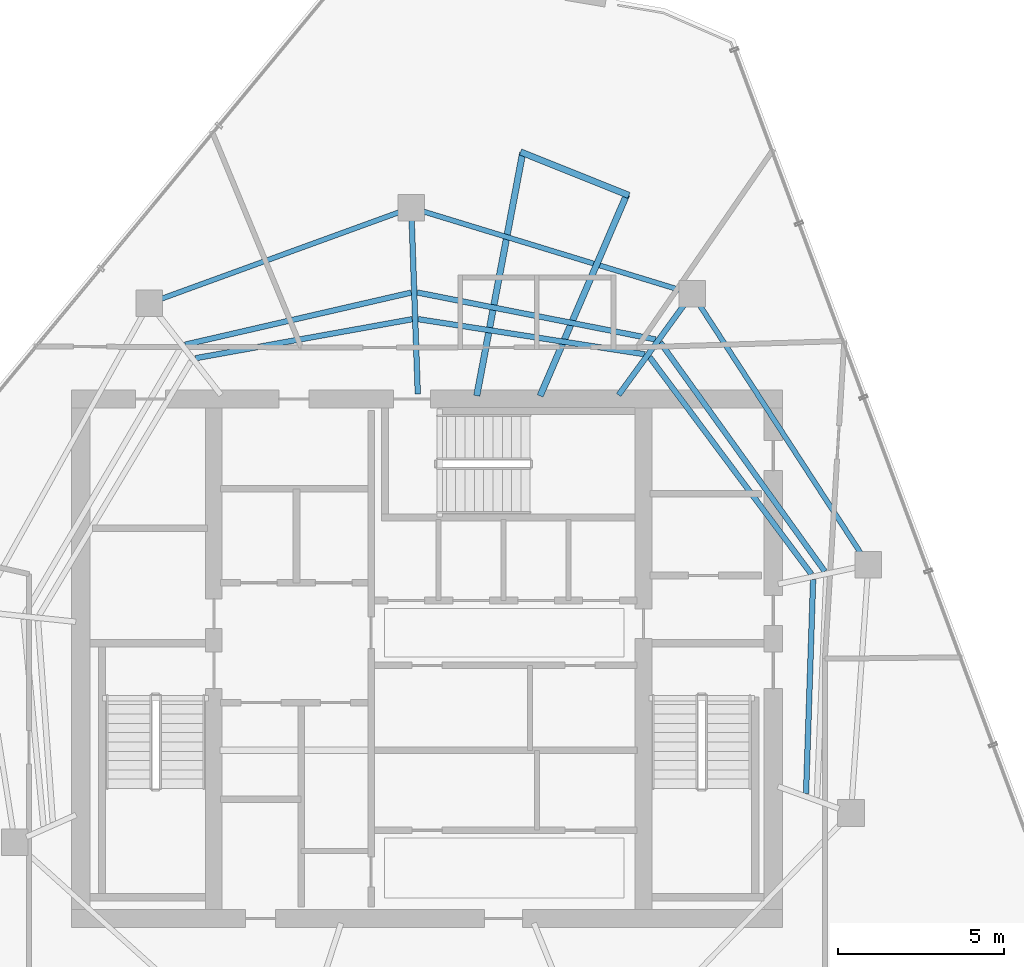
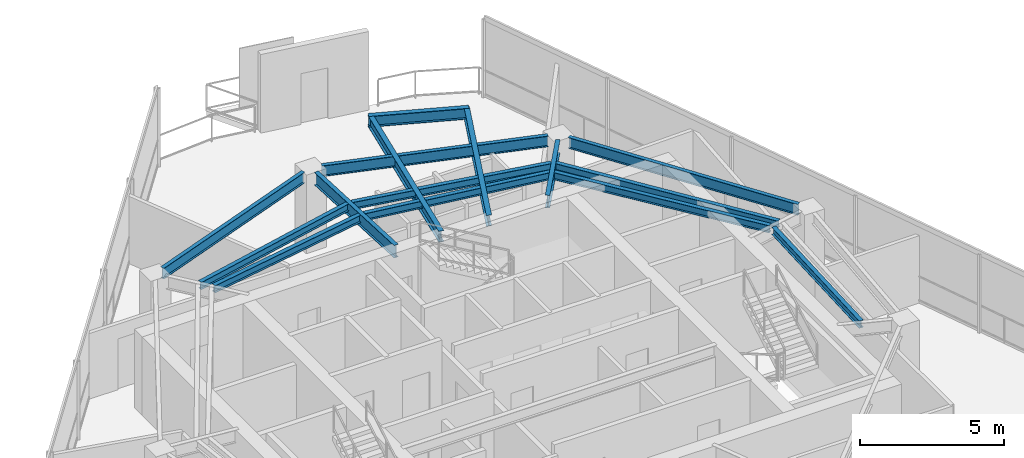
# One storey, part 9 of 19: 15 beams.
"""IFC4 building model written with IfcOpenShell, lengths in metres."""

from ifc_helpers import new_model, si_unit, direction, frame, origin, origin_2d, place, context, subcontext, project, spatial, i_section, extrude, material, material_profile, profile_set, type_object, element, save


model = new_model("IFC4")

# Units and contexts
model_context = context("Model", 3, precision=1e-05, world=origin(), true_north=direction((0.0, 1.0)))
body_context = subcontext(model_context, "Body", "Model", "MODEL_VIEW")
ifc_project = project(units=[si_unit("LENGTHUNIT", "METRE"), si_unit("AREAUNIT", "SQUARE_METRE"), si_unit("VOLUMEUNIT", "CUBIC_METRE"), si_unit("PLANEANGLEUNIT", "RADIAN"), si_unit("MASSUNIT", "GRAM", prefix="KILO")], contexts=[model_context])

# Site, building, storey
site_placement = place(None, origin())
site = spatial("IfcSite", under=ifc_project, at=site_placement, CompositionType="ELEMENT")
building_placement = place(site_placement, origin())
building = spatial("IfcBuilding", under=site, at=building_placement, Name="Qarnah Convention Tower", CompositionType="ELEMENT")
storey_placement = place(building_placement, frame((0.0, 0.0, 257.10009765625)))
storey = spatial("IfcBuildingStorey", under=building, at=storey_placement, Name="L69", CompositionType="ELEMENT", Elevation=257.10009765625)

# Beams
ifc_material = material(Name="Structural steel S355JR", Category="steel")
ifc_material_profile_1 = material_profile(ifc_material, i_section(OverallWidth=0.19189453125, OverallDepth=0.464111328125, WebThickness=0.010986328125, FlangeThickness=0.01806640625, at=origin_2d()), Name="W460X89")
ifc_profile_set_1 = profile_set([ifc_material_profile_1], Name="Structural steel S355JR")
beam_type_1 = type_object("IfcBeamType", Name="BM-CANT-W460A", PredefinedType="BEAM", material=ifc_profile_set_1)
beam_1_placement = place(storey_placement, frame((38.694091796875, 34.298095703125, 3.087890625), z_axis=(0.185836759901, 0.982580632146, 0.0), x_axis=(-0.982580632146, 0.185836759901, 0.0)))
element("IfcBeam", 1, at=beam_1_placement, inside=storey, type_object=beam_type_1, Name="L69 beam BM-L69-CNT-01-1", PredefinedType="BEAM", context=body_context, shape_type="SweptSolid", body=[
    extrude(i_section(OverallWidth=0.19189453125, OverallDepth=0.464111328125, WebThickness=0.010986328125, FlangeThickness=0.01806640625, at=origin_2d()), origin(), (0.0, 0.0, 1.0), 7.42529296875),
])
beam_2_placement = place(storey_placement, frame((40.596923828125, 34.2919921875, 3.087890625), z_axis=(0.395203303624, 0.918593679929, 0.0), x_axis=(-0.918593679929, 0.395203303624, 0.0)))
element("IfcBeam", 2, at=beam_2_placement, inside=storey, type_object=beam_type_1, Name="L69 beam BM-L69-CNT-01-2", PredefinedType="BEAM", context=body_context, shape_type="SweptSolid", body=[
    extrude(i_section(OverallWidth=0.19189453125, OverallDepth=0.464111328125, WebThickness=0.010986328125, FlangeThickness=0.01806640625, at=origin_2d()), origin(), (0.0, 0.0, 1.0), 6.583984375),
])
beam_3_placement = place(storey_placement, frame((40.009033203125, 41.6201171875, 3.087890625), z_axis=(0.928063247738, -0.372422620417, 0.0), x_axis=(0.372422620417, 0.928063247738, 0.0)))
element("IfcBeam", 3, at=beam_3_placement, inside=storey, type_object=beam_type_1, Name="L69 spandrel BM-L69-CTIE-01", PredefinedType="SPANDREL", context=body_context, shape_type="SweptSolid", body=[
    extrude(i_section(OverallWidth=0.19189453125, OverallDepth=0.464111328125, WebThickness=0.010986328125, FlangeThickness=0.01806640625, at=origin_2d()), origin(), (0.0, 0.0, 1.0), 3.507080078125),
])
ifc_material_profile_2 = material_profile(ifc_material, i_section(OverallWidth=0.166015625, OverallDepth=0.31201171875, WebThickness=0.007080078125, FlangeThickness=0.010986328125, at=origin_2d()), Name="W310X45")
ifc_profile_set_2 = profile_set([ifc_material_profile_2], Name="Structural steel S355JR")
beam_type_2 = type_object("IfcBeamType", Name="BM-JST-W310", PredefinedType="JOIST", material=ifc_profile_set_2)
beam_4_placement = place(storey_placement, frame((49.14501953125, 29.02294921875, 3.163818359375), z_axis=(-0.58344586601, 0.812152030986, 0.0), x_axis=(-0.812152030986, -0.58344586601, 0.0)))
element("IfcBeam", 4, at=beam_4_placement, inside=storey, type_object=beam_type_2, Name="L69 joist BM-L69-SJST-01", PredefinedType="JOIST", context=body_context, shape_type="SweptSolid", body=[
    extrude(i_section(OverallWidth=0.166015625, OverallDepth=0.31201171875, WebThickness=0.007080078125, FlangeThickness=0.010986328125, at=origin_2d()), origin(), (0.0, 0.0, 1.0), 8.465087890625),
])
beam_5_placement = place(storey_placement, frame((44.06494140625, 35.988037109375, 3.163818359375), z_axis=(-0.98114260341, 0.193285260103, 0.0), x_axis=(-0.193285260103, -0.98114260341, 0.0)))
element("IfcBeam", 5, at=beam_5_placement, inside=storey, type_object=beam_type_2, Name="L69 joist BM-L69-SJST-02", PredefinedType="JOIST", context=body_context, shape_type="SweptSolid", body=[
    extrude(i_section(OverallWidth=0.166015625, OverallDepth=0.31201171875, WebThickness=0.007080078125, FlangeThickness=0.010986328125, at=origin_2d()), origin(), (0.0, 0.0, 1.0), 7.299560546875),
])
beam_6_placement = place(storey_placement, frame((36.72705078125, 37.39599609375, 3.163818359375), z_axis=(-0.974498532047, -0.224393874777, 0.0), x_axis=(0.224393874777, -0.974498532047, 0.0)))
element("IfcBeam", 6, at=beam_6_placement, inside=storey, type_object=beam_type_2, Name="L69 joist BM-L69-SJST-03", PredefinedType="JOIST", context=body_context, shape_type="SweptSolid", body=[
    extrude(i_section(OverallWidth=0.166015625, OverallDepth=0.31201171875, WebThickness=0.007080078125, FlangeThickness=0.010986328125, at=origin_2d()), origin(), (0.0, 0.0, 1.0), 6.9697265625),
])
beam_7_placement = place(storey_placement, frame((48.7451171875, 28.93701171875, 3.163818359375), z_axis=(-0.597624038881, 0.801776470191, 0.0), x_axis=(-0.801776470191, -0.597624038881, 0.0)))
element("IfcBeam", 7, at=beam_7_placement, inside=storey, type_object=beam_type_2, Name="L69 joist BM-L69-IJST-01", PredefinedType="JOIST", context=body_context, shape_type="SweptSolid", body=[
    extrude(i_section(OverallWidth=0.166015625, OverallDepth=0.31201171875, WebThickness=0.007080078125, FlangeThickness=0.010986328125, at=origin_2d()), origin(), (0.0, 0.0, 1.0), 8.130859375),
])
beam_8_placement = place(storey_placement, frame((43.742919921875, 35.5419921875, 3.163818359375), z_axis=(-0.988191204816, 0.153225790013, 0.0), x_axis=(-0.153225790013, -0.988191204816, 0.0)))
element("IfcBeam", 8, at=beam_8_placement, inside=storey, type_object=beam_type_2, Name="L69 joist BM-L69-IJST-02", PredefinedType="JOIST", context=body_context, shape_type="SweptSolid", body=[
    extrude(i_section(OverallWidth=0.166015625, OverallDepth=0.31201171875, WebThickness=0.007080078125, FlangeThickness=0.010986328125, at=origin_2d()), origin(), (0.0, 0.0, 1.0), 6.89111328125),
])
beam_9_placement = place(storey_placement, frame((36.7548828125, 36.595947265625, 3.163818359375), z_axis=(-0.98417817063, -0.177181625613, 0.0), x_axis=(0.177181625613, -0.98417817063, 0.0)))
element("IfcBeam", 9, at=beam_9_placement, inside=storey, type_object=beam_type_2, Name="L69 joist BM-L69-IJST-03", PredefinedType="JOIST", context=body_context, shape_type="SweptSolid", body=[
    extrude(i_section(OverallWidth=0.166015625, OverallDepth=0.31201171875, WebThickness=0.007080078125, FlangeThickness=0.010986328125, at=origin_2d()), origin(), (0.0, 0.0, 1.0), 6.6083984375),
])
beam_10_placement = place(storey_placement, frame((48.5830078125, 22.347900390625, 3.163818359375), z_axis=(0.033106248914, 0.999451837901, 0.0), x_axis=(-0.999451837901, 0.033106248914, 0.0)))
element("IfcBeam", 10, at=beam_10_placement, inside=storey, type_object=beam_type_2, Name="L69 joist BM-L69-IJST-09", PredefinedType="JOIST", context=body_context, shape_type="SweptSolid", body=[
    extrude(i_section(OverallWidth=0.166015625, OverallDepth=0.31201171875, WebThickness=0.007080078125, FlangeThickness=0.010986328125, at=origin_2d()), origin(), (0.0, 0.0, 1.0), 6.430419921875),
])
ifc_material_profile_3 = material_profile(ifc_material, i_section(OverallWidth=0.166015625, OverallDepth=0.535888671875, WebThickness=0.010009765625, FlangeThickness=0.01708984375, at=origin_2d()), Name="W530X85")
ifc_profile_set_3 = profile_set([ifc_material_profile_3], Name="Structural steel S355JR")
beam_type_3 = type_object("IfcBeamType", Name="BM-RAD-W530B", PredefinedType="BEAM", material=ifc_profile_set_3)
beam_11_placement = place(storey_placement, frame((42.955078125, 34.321044921875, 3.052001953125), z_axis=(0.587699029113, 0.809079632162, 0.0), x_axis=(-0.809079632162, 0.587699029113, 0.0)))
element("IfcBeam", 11, at=beam_11_placement, inside=storey, type_object=beam_type_3, Name="L69 beam BM-L69-RAD-02", PredefinedType="BEAM", context=body_context, shape_type="SweptSolid", body=[
    extrude(i_section(OverallWidth=0.166015625, OverallDepth=0.535888671875, WebThickness=0.010009765625, FlangeThickness=0.01708984375, at=origin_2d()), origin(), (0.0, 0.0, 1.0), 3.37890625),
])
beam_12_placement = place(storey_placement, frame((36.923095703125, 34.35009765625, 3.052001953125), z_axis=(-0.035110435588, 0.999383438582, 0.0), x_axis=(-0.999383438582, -0.035110435588, 0.0)))
element("IfcBeam", 12, at=beam_12_placement, inside=storey, type_object=beam_type_3, Name="L69 beam BM-L69-RAD-03", PredefinedType="BEAM", context=body_context, shape_type="SweptSolid", body=[
    extrude(i_section(OverallWidth=0.166015625, OverallDepth=0.535888671875, WebThickness=0.010009765625, FlangeThickness=0.01708984375, at=origin_2d()), origin(), (0.0, 0.0, 1.0), 5.215087890625),
])
ifc_material_profile_4 = material_profile(ifc_material, i_section(OverallWidth=0.154052734375, OverallDepth=0.4599609375, WebThickness=0.009033203125, FlangeThickness=0.014892578125, at=origin_2d()), Name="W460X68")
ifc_profile_set_4 = profile_set([ifc_material_profile_4], Name="Structural steel S355JR")
beam_type_4 = type_object("IfcBeamType", Name="BM-SPN-W460B", PredefinedType="SPANDREL", material=ifc_profile_set_4)
beam_13_placement = place(storey_placement, frame((50.241943359375, 29.5439453125, 3.08984375), z_axis=(-0.544739511184, 0.838605309401, 0.0), x_axis=(-0.838605309401, -0.544739511184, 0.0)))
element("IfcBeam", 13, at=beam_13_placement, inside=storey, type_object=beam_type_4, Name="L69 spandrel BM-L69-SPN-01", PredefinedType="SPANDREL", context=body_context, shape_type="SweptSolid", body=[
    extrude(i_section(OverallWidth=0.154052734375, OverallDepth=0.4599609375, WebThickness=0.009033203125, FlangeThickness=0.014892578125, at=origin_2d()), origin(), (0.0, 0.0, 1.0), 8.9326171875),
])
beam_14_placement = place(storey_placement, frame((44.791015625, 37.47607421875, 3.08984375), z_axis=(-0.95628886523, 0.292423675918, 0.0), x_axis=(-0.292423675918, -0.95628886523, 0.0)))
element("IfcBeam", 14, at=beam_14_placement, inside=storey, type_object=beam_type_4, Name="L69 spandrel BM-L69-SPN-02", PredefinedType="SPANDREL", context=body_context, shape_type="SweptSolid", body=[
    extrude(i_section(OverallWidth=0.154052734375, OverallDepth=0.4599609375, WebThickness=0.009033203125, FlangeThickness=0.014892578125, at=origin_2d()), origin(), (0.0, 0.0, 1.0), 8.04248046875),
])
beam_15_placement = place(storey_placement, frame((36.361083984375, 39.80908203125, 3.08984375), z_axis=(-0.939671356419, -0.342078561044, 0.0), x_axis=(0.342078561044, -0.939671356419, 0.0)))
element("IfcBeam", 15, at=beam_15_placement, inside=storey, type_object=beam_type_4, Name="L69 spandrel BM-L69-SPN-03", PredefinedType="SPANDREL", context=body_context, shape_type="SweptSolid", body=[
    extrude(i_section(OverallWidth=0.154052734375, OverallDepth=0.4599609375, WebThickness=0.009033203125, FlangeThickness=0.014892578125, at=origin_2d()), origin(), (0.0, 0.0, 1.0), 7.59521484375),
])

save(model, "model.ifc")
